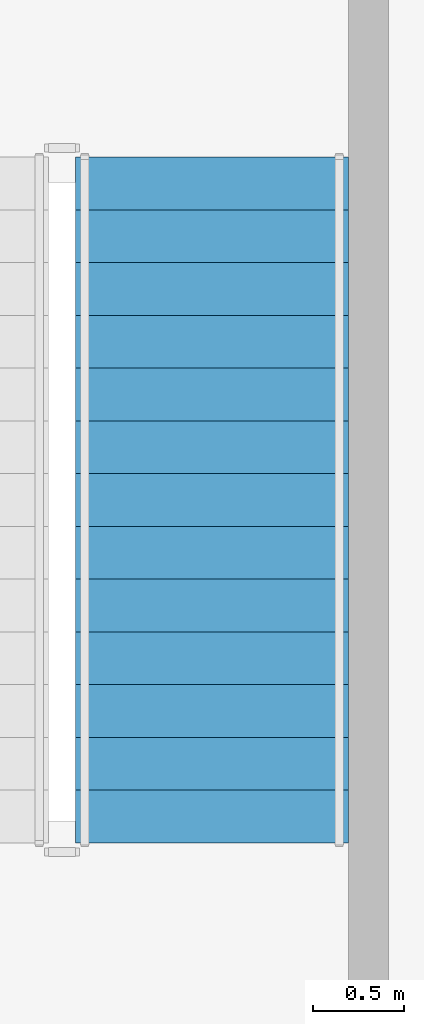
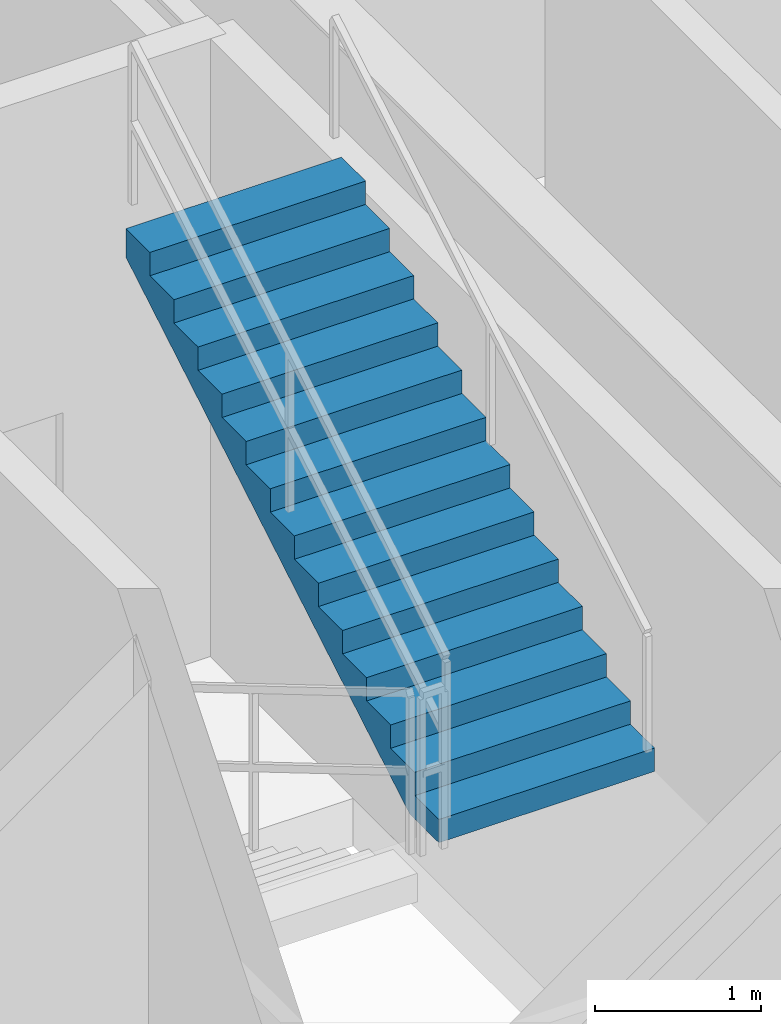
# One storey, part 10 of 11: 1 stair flight, 1 element without a shape of its own.
"""IFC4 building model written with IfcOpenShell, lengths in metres."""

import ifcopenshell
import ifcopenshell.guid

model = None  # the IFC model being written
_history = None  # IfcOwnerHistory: only IFC2X3 demands one
_inside = {}  # id of a spatial element -> (the spatial element, [elements in it])
_under = {}  # id of a project, library or spatial element -> (it, [spatial elements below it])
_declared = {}  # id of a project -> (the project, [libraries it declares])
_typed = {}  # id of a type object -> (the type object, [elements of that type])
_made_of = {}  # id of a material, layer set ... -> (it, [elements and type objects made of it])


def new_model(schema):
    """Start an empty IFC model of exactly this schema.

    Asked for "IFC4X3", IfcOpenShell would pick the latest addendum, in which some entities
    have other attributes; the version numbers below select the first issue.
    IFC2X3 requires an IfcOwnerHistory on every rooted entity: one is made here for all.
    """
    global model, _history
    if schema == "IFC4X3":
        model = ifcopenshell.file(schema_version=(4, 3, 0, 0))
    else:
        model = ifcopenshell.file(schema=schema)
    _inside.clear()
    _under.clear()
    _declared.clear()
    _typed.clear()
    _made_of.clear()
    _history = None
    if model.schema == "IFC2X3":
        org = make("IfcOrganization", Name="unknown")
        user = make(
            "IfcPersonAndOrganization",
            ThePerson=make("IfcPerson", FamilyName="unknown"),
            TheOrganization=org,
        )
        app = make(
            "IfcApplication",
            ApplicationDeveloper=org,
            Version="unknown",
            ApplicationFullName="unknown",
            ApplicationIdentifier="unknown",
        )
        _history = make(
            "IfcOwnerHistory",
            OwningUser=user,
            OwningApplication=app,
            ChangeAction="ADDED",
            CreationDate=0,
        )
    return model


def make(cls, **values):
    """One entity of the class cls with the attributes given. An attribute that is None is left unset."""
    return model.create_entity(
        cls, **{name: value for name, value in values.items() if value is not None}
    )


def rooted(cls, **values):
    """An entity with a GlobalId (a new one), such as an element, a storey or a relation."""
    return make(cls, GlobalId=ifcopenshell.guid.new(), OwnerHistory=_history, **values)


def si_unit(unit_type, name, prefix=None):
    """IfcSIUnit, for example si_unit("LENGTHUNIT", "METRE", prefix="MILLI")."""
    return make("IfcSIUnit", UnitType=unit_type, Prefix=prefix, Name=name)


def assignment(units):
    """IfcUnitAssignment: the units of a project."""
    return None if units is None else make("IfcUnitAssignment", Units=units)


def point(xyz):
    """IfcCartesianPoint."""
    return None if xyz is None else make("IfcCartesianPoint", Coordinates=xyz)


def direction(xyz):
    """IfcDirection."""
    return None if xyz is None else make("IfcDirection", DirectionRatios=xyz)


def frame(location, z_axis=None, x_axis=None):
    """IfcAxis2Placement3D, a coordinate frame: its origin and axes. An axis left out is left unset."""
    return make(
        "IfcAxis2Placement3D",
        Location=point(location),
        Axis=direction(z_axis),
        RefDirection=direction(x_axis),
    )


def origin():
    """The frame at (0, 0, 0) with its axes left unset."""
    return frame((0.0, 0.0, 0.0))


def place(relative_to, where):
    """IfcLocalPlacement: puts the frame where relative to a parent placement (None: the world)."""
    return make(
        "IfcLocalPlacement", PlacementRelTo=relative_to, RelativePlacement=where
    )


def context(
    kind, dimensions, precision=None, world=None, true_north=None, identifier=None
):
    """IfcGeometricRepresentationContext, for example the 3D "Model" context."""
    return make(
        "IfcGeometricRepresentationContext",
        ContextIdentifier=identifier,
        ContextType=kind,
        CoordinateSpaceDimension=dimensions,
        Precision=precision,
        WorldCoordinateSystem=world,
        TrueNorth=true_north,
    )


def subcontext(parent, identifier, kind, view, scale=None):
    """IfcGeometricRepresentationSubContext, for example "Body" below "Model"."""
    return make(
        "IfcGeometricRepresentationSubContext",
        ContextIdentifier=identifier,
        ContextType=kind,
        ParentContext=parent,
        TargetScale=scale,
        TargetView=view,
    )


def project(units=None, contexts=None):
    """IfcProject with its units and contexts."""
    return rooted(
        "IfcProject",
        Name="project",
        RepresentationContexts=contexts,
        UnitsInContext=assignment(units),
    )


def spatial(cls, under=None, at=None, **own):
    """A site, building, storey or space (cls), placed at a placement, below another one or the project."""
    s = rooted(cls, ObjectPlacement=at, **own)
    if under is not None:
        _under.setdefault(under.id(), (under, []))[1].append(s)
    return s


def polyline(points):
    """IfcPolyline through the points."""
    return make("IfcPolyline", Points=[point(p) for p in points])


def outline(outer, holes=None, kind="AREA"):
    """IfcArbitraryClosedProfileDef: a profile drawn as a closed curve; with holes, ...WithVoids."""
    if holes is None:
        return make("IfcArbitraryClosedProfileDef", ProfileType=kind, OuterCurve=outer)
    return make(
        "IfcArbitraryProfileDefWithVoids",
        ProfileType=kind,
        OuterCurve=outer,
        InnerCurves=holes,
    )


def extrude(swept, where, along, depth):
    """IfcExtrudedAreaSolid: the profile swept, set in the frame where, extruded along a direction by depth."""
    return make(
        "IfcExtrudedAreaSolid",
        SweptArea=swept,
        Position=where,
        ExtrudedDirection=direction(along),
        Depth=depth,
    )


def shape(context_of_items, identifier, shape_type, items):
    """IfcShapeRepresentation: the items that make up one representation, for example the "Body"."""
    return make(
        "IfcShapeRepresentation",
        ContextOfItems=context_of_items,
        RepresentationIdentifier=identifier,
        RepresentationType=shape_type,
        Items=items,
    )


def material(Name=None, Category=None):
    """IfcMaterial."""
    return make("IfcMaterial", Name=Name, Category=Category)


def made_of(thing, what):
    """Note that an element or type object is made of a material, layer set ...; save() writes the relation."""
    if what is not None:
        _made_of.setdefault(what.id(), (what, []))[1].append(thing)
    return thing


def type_object(cls, material=None, **own):
    """A type object (cls), such as IfcWallType, which elements share."""
    return made_of(rooted(cls, **own), material)


def element(
    cls,
    number,
    at=None,
    inside=None,
    cuts=None,
    type_object=None,
    material=None,
    context=None,
    identifier="Body",
    shape_type=None,
    held_by="IfcProductDefinitionShape",
    body=None,
    shapes=None,
    **own,
):
    """One element of the class cls, such as IfcWall. Its Tag is "e" and its number.

    at: its placement. inside: the storey or other place that contains it. cuts: it is an
    opening in that element (IfcRelVoidsElement). A single representation is given by context,
    identifier, shape_type and body (its items); several are given by shapes. held_by: the class
    of the entity that holds the representations. save() writes the other relations.
    """
    e = rooted(cls, Tag="e%d" % number, ObjectPlacement=at, **own)
    if body is not None:
        shapes = [shape(context, identifier, shape_type, body)]
    if shapes is not None:
        e.Representation = make(held_by, Representations=shapes)
    if inside is not None:
        _inside.setdefault(inside.id(), (inside, []))[1].append(e)
    if cuts is not None:
        rooted(
            "IfcRelVoidsElement", RelatingBuildingElement=cuts, RelatedOpeningElement=e
        )
    if type_object is not None:
        _typed.setdefault(type_object.id(), (type_object, []))[1].append(e)
    return made_of(e, material)


def aggregate(whole, parts):
    """IfcRelAggregates: a whole, such as a stair, and the parts it consists of."""
    return rooted("IfcRelAggregates", RelatingObject=whole, RelatedObjects=parts)


def save(model, path):
    """Write the relations noted so far, then the file.

    IfcRelAggregates (storeys below a building ...), IfcRelContainedInSpatialStructure (elements
    in a storey), IfcRelDefinesByType, IfcRelAssociatesMaterial and IfcRelDeclares: one each for
    every whole, place, type object, material and project.
    """
    for whole, parts in _under.values():
        aggregate(whole, parts)
    for where, things in _inside.values():
        rooted(
            "IfcRelContainedInSpatialStructure",
            RelatedElements=things,
            RelatingStructure=where,
        )
    for kind, things in _typed.values():
        rooted("IfcRelDefinesByType", RelatedObjects=things, RelatingType=kind)
    for what, things in _made_of.values():
        rooted("IfcRelAssociatesMaterial", RelatedObjects=things, RelatingMaterial=what)
    for by, libraries in _declared.values():
        rooted("IfcRelDeclares", RelatingContext=by, RelatedDefinitions=libraries)
    model.write(path)


model = new_model("IFC4")

# Units and contexts
model_context = context("Model", 3, precision=1e-05, world=origin(), true_north=direction((0.0, 1.0)))
body_context = subcontext(model_context, "Body", "Model", "MODEL_VIEW")
ifc_project = project(units=[si_unit("LENGTHUNIT", "METRE"), si_unit("AREAUNIT", "SQUARE_METRE"), si_unit("VOLUMEUNIT", "CUBIC_METRE"), si_unit("PLANEANGLEUNIT", "RADIAN"), si_unit("MASSUNIT", "GRAM", prefix="KILO")], contexts=[model_context])

# Site, building, storey
site_placement = place(None, origin())
site = spatial("IfcSite", under=ifc_project, at=site_placement, CompositionType="ELEMENT")
building_placement = place(site_placement, origin())
building = spatial("IfcBuilding", under=site, at=building_placement, Name="Vorneva Point Tower", CompositionType="ELEMENT")
storey_placement = place(building_placement, frame((0.0, 0.0, 124.300048828125)))
storey = spatial("IfcBuildingStorey", under=building, at=storey_placement, Name="L33", CompositionType="ELEMENT", Elevation=124.300048828125)

# Stair, stair flight
ifc_material = material(Name="Concrete B50 (C40/50)", Category="concrete")
stair_type = type_object("IfcStairType", Name="ST-DOG-1500", PredefinedType="HALF_TURN_STAIR", material=ifc_material)
stair_placement = place(storey_placement, origin())
stair = element("IfcStair", 1, at=stair_placement, inside=storey, type_object=stair_type, Name="L33 ST2", PredefinedType="HALF_TURN_STAIR")
stair_flight_type = type_object("IfcStairFlightType", Name="STF-1500", PredefinedType="STRAIGHT", material=ifc_material)
stair_flight_placement = place(storey_placement, frame((47.199951171875, 18.449951171875, 2.39990234375), z_axis=(0.0, 0.0, 1.0), x_axis=(0.0, 1.0, 0.0)))
stair_flight = element("IfcStairFlight", 2, at=stair_flight_placement, type_object=stair_flight_type, Name="ST2 flight 2", NumberOfRisers=14, NumberOfTreads=13, PredefinedType="STRAIGHT", RiserHeight=0.171428571, TreadLength=0.29, context=body_context, shape_type="SweptSolid", body=[
    extrude(outline(polyline([(0.0, 0.0), (0.0, 0.17138671875), (0.2900390625, 0.17138671875), (0.2900390625, 0.3427734375), (0.580078125, 0.3427734375), (0.580078125, 0.514404296875), (0.8701171875, 0.514404296875), (0.8701171875, 0.685791015625), (1.159912109375, 0.685791015625), (1.159912109375, 0.857177734375), (1.449951171875, 0.857177734375), (1.449951171875, 1.028564453125), (1.739990234375, 1.028564453125), (1.739990234375, 1.199951171875), (2.030029296875, 1.199951171875), (2.030029296875, 1.371337890625), (2.320068359375, 1.371337890625), (2.320068359375, 1.54296875), (2.610107421875, 1.54296875), (2.610107421875, 1.71435546875), (2.89990234375, 1.71435546875), (2.89990234375, 1.8857421875), (3.18994140625, 1.8857421875), (3.18994140625, 2.05712890625), (3.47998046875, 2.05712890625), (3.47998046875, 2.228515625), (3.77001953125, 2.228515625), (3.77001953125, 2.39990234375), (3.77001953125, 2.01953125), (0.353515625, 0.0), (0.0, 0.0)])), frame((0.0, 0.75, 0.0), z_axis=(0.0, -1.0, 0.0), x_axis=(1.0, 0.0, 0.0)), (0.0, 0.0, 1.0), 1.5),
])
aggregate(stair, [stair_flight])

save(model, "model.ifc")
